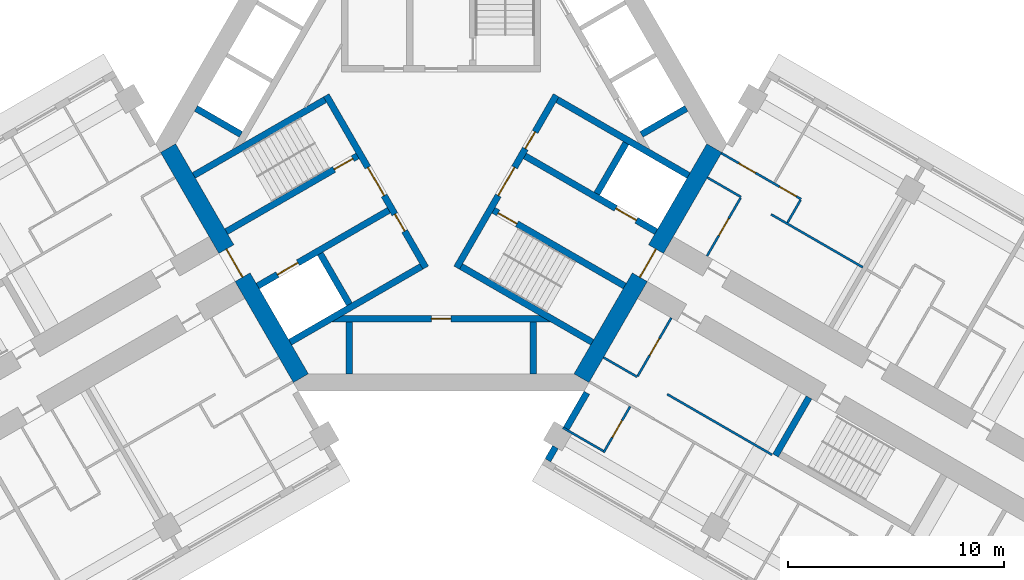
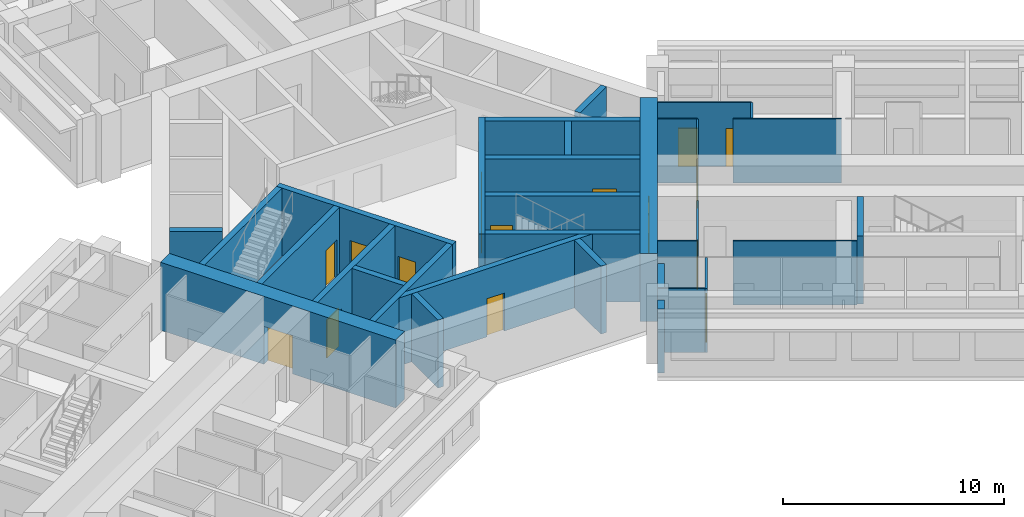
# One storey, part 7 of 15: 32 walls, 16 doors, 16 openings.
"""IFC4 building model written with IfcOpenShell, lengths in metres."""

from ifc_helpers import new_model, si_unit, direction, frame, frame_2d, origin, place, context, subcontext, project, spatial, rectangle, extrude, material, layer, layer_set, type_object, element, fill, save


model = new_model("IFC4")

# Units and contexts
model_context = context("Model", 3, precision=1e-05, world=origin(), true_north=direction((0.0, 1.0)))
body_context = subcontext(model_context, "Body", "Model", "MODEL_VIEW")
ifc_project = project(units=[si_unit("LENGTHUNIT", "METRE"), si_unit("AREAUNIT", "SQUARE_METRE"), si_unit("VOLUMEUNIT", "CUBIC_METRE"), si_unit("PLANEANGLEUNIT", "RADIAN"), si_unit("MASSUNIT", "GRAM", prefix="KILO")], contexts=[model_context])

# Site, building, storey
site_placement = place(None, origin())
site = spatial("IfcSite", under=ifc_project, at=site_placement, CompositionType="ELEMENT")
building_placement = place(site_placement, origin())
building = spatial("IfcBuilding", under=site, at=building_placement, Name="Impinga Residences", CompositionType="ELEMENT")
storey_placement = place(building_placement, frame((0.0, 0.0, 113.5)))
storey = spatial("IfcBuildingStorey", under=building, at=storey_placement, Name="L27", CompositionType="ELEMENT", Elevation=113.5)

# Walls
ifc_material_1 = material(Name="Terracotta rainscreen on blockwork", Category="masonry")
ifc_layer_1 = layer(ifc_material_1, 0.300048828125)
ifc_layer_set_1 = layer_set([ifc_layer_1], Name="EW1 external wall, terracotta rainscreen on blockwork 300")
wall_type_1 = type_object("IfcWallType", Name="EW1 external wall, terracotta rainscreen on blockwork 300", PredefinedType="SOLIDWALL", material=ifc_layer_set_1)
wall_1_placement = place(storey_placement, frame((4.929931640625, -14.624267578125, 0.0), z_axis=(0.0, 0.0, 1.0), x_axis=(0.499853302173, 0.866110083249, 0.0)))
element("IfcWall", 1, at=wall_1_placement, inside=storey, type_object=wall_type_1, Name="External wall EW1 L27", PredefinedType="SOLIDWALL", context=body_context, shape_type="SweptSolid", body=[
    extrude(rectangle(XDim=0.699951171875, YDim=0.300048828125, at=frame_2d((0.35009765625, 0.0))), origin(), (0.0, 0.0, 1.0), 3.530029296875),
])
wall_2_placement = place(storey_placement, frame((5.77978515625, -13.152099609375, 0.0), z_axis=(0.0, 0.0, 1.0), x_axis=(0.500063520245, 0.865988727248, 0.0)))
element("IfcWall", 2, at=wall_2_placement, inside=storey, type_object=wall_type_1, Name="External wall EW1 L27", PredefinedType="SOLIDWALL", context=body_context, shape_type="SweptSolid", body=[
    extrude(rectangle(XDim=1.900146484375, YDim=0.300048828125, at=frame_2d((0.9501953125, 0.0))), origin(), (0.0, 0.0, 1.0), 3.530029296875),
])
ifc_material_2 = material(Name="Gypsum board on steel studs", Category="steel")
ifc_layer_2 = layer(ifc_material_2, 0.10009765625)
ifc_layer_set_2 = layer_set([ifc_layer_2], Name="Gypsum board on steel studs")
wall_type_2 = type_object("IfcWallType", Name="IP1 partition 100", PredefinedType="PARTITIONING", material=ifc_layer_set_2)
wall_3_placement = place(storey_placement, frame((12.300048828125, -1.558837890625, 0.0), z_axis=(0.0, 0.0, 1.0), x_axis=(0.866047807691, -0.499961193289, 0.0)))
element("IfcWall", 3, at=wall_3_placement, inside=storey, type_object=wall_type_2, Name="Partition L27-EA1:DIV0", PredefinedType="PARTITIONING", context=body_context, shape_type="SweptSolid", body=[
    extrude(rectangle(XDim=1.800048828125, YDim=0.10009765625, at=frame_2d((0.89990234375, 0.0))), origin(), (0.0, 0.0, 1.0), 3.530029296875),
])
wall_4_placement = place(storey_placement, frame((15.244384765625, -3.2587890625, 0.0), z_axis=(0.0, 0.0, 1.0), x_axis=(0.866036242063, -0.49998122708, 0.0)))
element("IfcWall", 4, at=wall_4_placement, inside=storey, type_object=wall_type_2, Name="Partition L27-EA1:DIV1", PredefinedType="PARTITIONING", context=body_context, shape_type="SweptSolid", body=[
    extrude(rectangle(XDim=4.900146484375, YDim=0.10009765625, at=frame_2d((2.4501953125, 0.0))), origin(), (0.0, 0.0, 1.0), 3.530029296875),
])

# Wall, openings, doors
wall_5_placement = place(storey_placement, frame((12.949951171875, -0.43310546875, 0.0), z_axis=(0.0, 0.0, 1.0), x_axis=(0.866028703517, -0.499994284652, 0.0)))
wall_5 = element("IfcWall", 5, at=wall_5_placement, inside=storey, type_object=wall_type_2, Name="Partition L27-EA1:STRIP", PredefinedType="PARTITIONING", context=body_context, shape_type="SweptSolid", body=[
    extrude(rectangle(XDim=4.25, YDim=0.10009765625, at=frame_2d((2.125, 0.0))), origin(), (0.0, 0.0, 1.0), 3.530029296875),
])
opening_1_placement = place(wall_5_placement, frame((0.925048828125, 0.0, 0.0)))
opening_1 = element("IfcOpeningElement", 6, at=opening_1_placement, cuts=wall_5, Name="Opening D2", PredefinedType="OPENING", context=body_context, shape_type="SweptSolid", body=[
    extrude(rectangle(XDim=0.89990234375, YDim=2.10009765625, at=frame_2d((0.449951171875, 1.050048828125))), frame((0.0, 0.06005859375, 0.0), z_axis=(0.0, -1.0, 0.0), x_axis=(1.0, 0.0, 0.0)), (0.0, 0.0, 1.0), 0.1201171875),
])
opening_2_placement = place(wall_5_placement, frame((3.10009765625, 0.0, 0.0)))
opening_2 = element("IfcOpeningElement", 7, at=opening_2_placement, cuts=wall_5, Name="Opening D2", PredefinedType="OPENING", context=body_context, shape_type="SweptSolid", body=[
    extrude(rectangle(XDim=0.89990234375, YDim=2.10009765625, at=frame_2d((0.449951171875, 1.050048828125))), frame((0.0, 0.06005859375, 0.0), z_axis=(0.0, -1.0, 0.0), x_axis=(1.0, 0.0, 0.0)), (0.0, 0.0, 1.0), 0.1201171875),
])
ifc_material_3 = material(Name="Timber door set", Category="wood")
door_type_1 = type_object("IfcDoorType", Name="D2 internal door 900x2100", OperationType="SINGLE_SWING_LEFT", PredefinedType="DOOR", material=ifc_material_3)
door_1_placement = place(opening_1_placement, origin())
door_1 = element("IfcDoor", 8, at=door_1_placement, inside=storey, type_object=door_type_1, Name="Apartment L27-EA1 room door", OperationType="SINGLE_SWING_LEFT", OverallHeight=2.10009765625, OverallWidth=0.89990234375, PredefinedType="DOOR", context=body_context, shape_type="SweptSolid", body=[
    extrude(rectangle(XDim=0.89990234375, YDim=2.10009765625, at=frame_2d((0.449951171875, 1.050048828125))), frame((0.0, 0.02490234375, 0.0), z_axis=(0.0, -1.0, 0.0), x_axis=(1.0, 0.0, 0.0)), (0.0, 0.0, 1.0), 0.050048828125),
])
fill(opening_1, door_1)
door_2_placement = place(opening_2_placement, origin())
door_2 = element("IfcDoor", 9, at=door_2_placement, inside=storey, type_object=door_type_1, Name="Apartment L27-EA1 room door", OperationType="SINGLE_SWING_RIGHT", OverallHeight=2.10009765625, OverallWidth=0.89990234375, PredefinedType="DOOR", context=body_context, shape_type="SweptSolid", body=[
    extrude(rectangle(XDim=0.89990234375, YDim=2.10009765625, at=frame_2d((0.449951171875, 1.050048828125))), frame((0.0, 0.02490234375, 0.0), z_axis=(0.0, -1.0, 0.0), x_axis=(1.0, 0.0, 0.0)), (0.0, 0.0, 1.0), 0.050048828125),
])
fill(opening_2, door_2)

# Wall
wall_6_placement = place(storey_placement, frame((16.005615234375, -3.640625, 0.0), z_axis=(0.0, 0.0, 1.0), x_axis=(0.500033551112, 0.866006032174, 0.0)))
element("IfcWall", 10, at=wall_6_placement, inside=storey, type_object=wall_type_2, Name="Partition L27-EA1:SE1", PredefinedType="PARTITIONING", context=body_context, shape_type="SweptSolid", body=[
    extrude(rectangle(XDim=1.2001953125, YDim=0.10009765625, at=frame_2d((0.60009765625, 0.0))), origin(), (0.0, 0.0, 1.0), 3.530029296875),
])

# Wall, opening, door
wall_7_placement = place(storey_placement, frame((12.283935546875, -5.186767578125, 0.0), z_axis=(0.0, 0.0, 1.0), x_axis=(0.499967891604, 0.866043940782, 0.0)))
wall_7 = element("IfcWall", 11, at=wall_7_placement, inside=storey, type_object=wall_type_2, Name="Partition L27-EA1:IB1", PredefinedType="PARTITIONING", context=body_context, shape_type="SweptSolid", body=[
    extrude(rectangle(XDim=3.099853515625, YDim=0.10009765625, at=frame_2d((1.5498046875, 0.0))), origin(), (0.0, 0.0, 1.0), 3.530029296875),
])
opening_3_placement = place(wall_7_placement, frame((1.10009765625, 0.0, 0.0)))
opening_3 = element("IfcOpeningElement", 12, at=opening_3_placement, cuts=wall_7, Name="Opening D2", PredefinedType="OPENING", context=body_context, shape_type="SweptSolid", body=[
    extrude(rectangle(XDim=0.89990234375, YDim=2.10009765625, at=frame_2d((0.449951171875, 1.050048828125))), frame((0.0, 0.06005859375, 0.0), z_axis=(0.0, -1.0, 0.0), x_axis=(1.0, 0.0, 0.0)), (0.0, 0.0, 1.0), 0.1201171875),
])
door_3_placement = place(opening_3_placement, origin())
door_3 = element("IfcDoor", 13, at=door_3_placement, inside=storey, type_object=door_type_1, Name="Apartment L27-EA1 bathroom door", OperationType="SINGLE_SWING_LEFT", OverallHeight=2.10009765625, OverallWidth=0.89990234375, PredefinedType="DOOR", context=body_context, shape_type="SweptSolid", body=[
    extrude(rectangle(XDim=0.89990234375, YDim=2.10009765625, at=frame_2d((0.449951171875, 1.050048828125))), frame((0.0, 0.02490234375, 0.0), z_axis=(0.0, -1.0, 0.0), x_axis=(1.0, 0.0, 0.0)), (0.0, 0.0, 1.0), 0.050048828125),
])
fill(opening_3, door_3)

# Walls
wall_8_placement = place(storey_placement, frame((7.5, -9.872802734375, 0.0), z_axis=(0.0, 0.0, 1.0), x_axis=(0.866047807691, -0.499961193289, 0.0)))
element("IfcWall", 14, at=wall_8_placement, inside=storey, type_object=wall_type_2, Name="Partition L27-EF1:DIV0", PredefinedType="PARTITIONING", context=body_context, shape_type="SweptSolid", body=[
    extrude(rectangle(XDim=1.800048828125, YDim=0.10009765625, at=frame_2d((0.89990234375, 0.0))), origin(), (0.0, 0.0, 1.0), 3.530029296875),
])
wall_9_placement = place(storey_placement, frame((10.444580078125, -11.57275390625, 0.0), z_axis=(0.0, 0.0, 1.0), x_axis=(0.866015695474, -0.500016814911, 0.0)))
element("IfcWall", 15, at=wall_9_placement, inside=storey, type_object=wall_type_2, Name="Partition L27-EF1:DIV1", PredefinedType="PARTITIONING", context=body_context, shape_type="SweptSolid", body=[
    extrude(rectangle(XDim=5.599853515625, YDim=0.10009765625, at=frame_2d((2.7998046875, 0.0))), origin(), (0.0, 0.0, 1.0), 3.530029296875),
])

# Wall, opening, door
wall_10_placement = place(storey_placement, frame((10.6337890625, -8.044677734375, 0.0), z_axis=(0.0, 0.0, 1.0), x_axis=(-0.49999285859, -0.86602952684, 0.0)))
wall_10 = element("IfcWall", 16, at=wall_10_placement, inside=storey, type_object=wall_type_2, Name="Partition L27-EF1:IB1", PredefinedType="PARTITIONING", context=body_context, shape_type="SweptSolid", body=[
    extrude(rectangle(XDim=3.10009765625, YDim=0.10009765625, at=frame_2d((1.550048828125, 0.0))), origin(), (0.0, 0.0, 1.0), 3.530029296875),
])
opening_4_placement = place(wall_10_placement, frame((1.10009765625, 0.0, 0.0)))
opening_4 = element("IfcOpeningElement", 17, at=opening_4_placement, cuts=wall_10, Name="Opening D2", PredefinedType="OPENING", context=body_context, shape_type="SweptSolid", body=[
    extrude(rectangle(XDim=0.89990234375, YDim=2.10009765625, at=frame_2d((0.449951171875, 1.050048828125))), frame((0.0, 0.06005859375, 0.0), z_axis=(0.0, -1.0, 0.0), x_axis=(1.0, 0.0, 0.0)), (0.0, 0.0, 1.0), 0.1201171875),
])
door_4_placement = place(opening_4_placement, origin())
door_4 = element("IfcDoor", 18, at=door_4_placement, inside=storey, type_object=door_type_1, Name="Apartment L27-EF1 bathroom door", OperationType="SINGLE_SWING_LEFT", OverallHeight=2.10009765625, OverallWidth=0.89990234375, PredefinedType="DOOR", context=body_context, shape_type="SweptSolid", body=[
    extrude(rectangle(XDim=0.89990234375, YDim=2.10009765625, at=frame_2d((0.449951171875, 1.050048828125))), frame((0.0, 0.02490234375, 0.0), z_axis=(0.0, -1.0, 0.0), x_axis=(1.0, 0.0, 0.0)), (0.0, 0.0, 1.0), 0.050048828125),
])
fill(opening_4, door_4)

wall_11_placement = place(storey_placement, frame((8.730224609375, -12.141845703125, 0.0), z_axis=(0.0, 0.0, 1.0), x_axis=(-0.499943856944, -0.866057815567, 0.0)))
wall_11 = element("IfcWall", 19, at=wall_11_placement, inside=storey, type_object=wall_type_2, Name="Partition L27-EF1:EN1", PredefinedType="PARTITIONING", context=body_context, shape_type="SweptSolid", body=[
    extrude(rectangle(XDim=2.449951171875, YDim=0.10009765625, at=frame_2d((1.22509765625, 0.0))), origin(), (0.0, 0.0, 1.0), 3.530029296875),
])
opening_5_placement = place(wall_11_placement, frame((0.75, 0.0, 0.0)))
opening_5 = element("IfcOpeningElement", 20, at=opening_5_placement, cuts=wall_11, Name="Opening D2", PredefinedType="OPENING", context=body_context, shape_type="SweptSolid", body=[
    extrude(rectangle(XDim=0.89990234375, YDim=2.10009765625, at=frame_2d((0.449951171875, 1.050048828125))), frame((0.0, 0.06005859375, 0.0), z_axis=(0.0, -1.0, 0.0), x_axis=(1.0, 0.0, 0.0)), (0.0, 0.0, 1.0), 0.1201171875),
])
door_5_placement = place(opening_5_placement, origin())
door_5 = element("IfcDoor", 21, at=door_5_placement, inside=storey, type_object=door_type_1, Name="Apartment L27-EF1 en-suite door", OperationType="SINGLE_SWING_LEFT", OverallHeight=2.10009765625, OverallWidth=0.89990234375, PredefinedType="DOOR", context=body_context, shape_type="SweptSolid", body=[
    extrude(rectangle(XDim=0.89990234375, YDim=2.10009765625, at=frame_2d((0.449951171875, 1.050048828125))), frame((0.0, 0.02490234375, 0.0), z_axis=(0.0, -1.0, 0.0), x_axis=(1.0, 0.0, 0.0)), (0.0, 0.0, 1.0), 0.050048828125),
])
fill(opening_5, door_5)

# Walls
wall_12_placement = place(storey_placement, frame((5.625, -13.120361328125, 0.0), z_axis=(0.0, 0.0, 1.0), x_axis=(0.866047553582, -0.499961633463, 0.0)))
element("IfcWall", 22, at=wall_12_placement, inside=storey, type_object=wall_type_2, Name="Partition L27-EF1:EN2", PredefinedType="PARTITIONING", context=body_context, shape_type="SweptSolid", body=[
    extrude(rectangle(XDim=2.150146484375, YDim=0.10009765625, at=frame_2d((1.0751953125, 0.0))), origin(), (0.0, 0.0, 1.0), 3.530029296875),
])
ifc_material_4 = material(Name="Concrete C60/75", Category="concrete")
ifc_layer_3 = layer(ifc_material_4, 0.300048828125)
ifc_layer_set_3 = layer_set([ifc_layer_3], Name="Concrete C60/75")
wall_type_3 = type_object("IfcWallType", Name="SE1 wing stair enclosure wall 300", PredefinedType="SOLIDWALL", material=ifc_layer_set_3)
wall_13_placement = place(storey_placement, frame((16.9990234375, -11.7197265625, 0.0), z_axis=(0.0, 0.0, 1.0), x_axis=(-0.499967891604, -0.866043940782, 0.0)))
element("IfcWall", 23, at=wall_13_placement, inside=storey, type_object=wall_type_3, Name="Stair enclosure wall SE1 E END0 L27", PredefinedType="SOLIDWALL", context=body_context, shape_type="SweptSolid", body=[
    extrude(rectangle(XDim=3.099853515625, YDim=0.300048828125, at=frame_2d((1.5498046875, 0.0))), origin(), (0.0, 0.0, 1.0), 3.75),
])

# Wall, opening, door
ifc_layer_4 = layer(ifc_material_4, 0.800048828125)
ifc_layer_set_4 = layer_set([ifc_layer_4], Name="Concrete C60/75")
wall_type_4 = type_object("IfcWallType", Name="SW2 core wall 800", PredefinedType="SHEAR", material=ifc_layer_set_4)
wall_14_placement = place(storey_placement, frame((-6.484619140625, -10.83154296875, 0.0), z_axis=(0.0, 0.0, 1.0), x_axis=(-0.499986991068, 0.866032914365, 0.0)))
wall_14 = element("IfcWall", 24, at=wall_14_placement, inside=storey, type_object=wall_type_4, Name="Core wall SW2 W:FACE L27", PredefinedType="SHEAR", context=body_context, shape_type="SweptSolid", body=[
    extrude(rectangle(XDim=12.276123046875, YDim=0.800048828125, at=frame_2d((6.13818359375, 0.0))), origin(), (0.0, 0.0, 1.0), 3.75),
])
opening_6_placement = place(wall_14_placement, frame((5.38818359375, 0.0, 0.0)))
opening_6 = element("IfcOpeningElement", 25, at=opening_6_placement, cuts=wall_14, Name="Opening D4", PredefinedType="OPENING", context=body_context, shape_type="SweptSolid", body=[
    extrude(rectangle(XDim=1.5, YDim=2.10009765625, at=frame_2d((0.75, 1.050048828125))), frame((0.0, 0.409912109375, 0.0), z_axis=(0.0, -1.0, 0.0), x_axis=(1.0, 0.0, 0.0)), (0.0, 0.0, 1.0), 0.820068359375),
])
door_type_2 = type_object("IfcDoorType", Name="D4 lobby door pair 1500x2100", OperationType="DOUBLE_DOOR_DOUBLE_SWING", PredefinedType="DOOR", material=ifc_material_3)
door_6_placement = place(opening_6_placement, origin())
door_6 = element("IfcDoor", 26, at=door_6_placement, inside=storey, type_object=door_type_2, Name="Lobby door W", OperationType="DOUBLE_DOOR_DOUBLE_SWING", OverallHeight=2.10009765625, OverallWidth=1.5, PredefinedType="DOOR", context=body_context, shape_type="SweptSolid", body=[
    extrude(rectangle(XDim=1.5, YDim=2.10009765625, at=frame_2d((0.75, 1.050048828125))), frame((0.0, 0.02490234375, 0.0), z_axis=(0.0, -1.0, 0.0), x_axis=(1.0, 0.0, 0.0)), (0.0, 0.0, 1.0), 0.050048828125),
])
fill(opening_6, door_6)

wall_15_placement = place(storey_placement, frame((12.62255859375, -0.199951171875, 0.0), z_axis=(0.0, 0.0, 1.0), x_axis=(-0.499986991068, -0.866032914365, 0.0)))
wall_15 = element("IfcWall", 27, at=wall_15_placement, inside=storey, type_object=wall_type_4, Name="Core wall SW2 E:FACE L27", PredefinedType="SHEAR", context=body_context, shape_type="SweptSolid", body=[
    extrude(rectangle(XDim=12.276123046875, YDim=0.800048828125, at=frame_2d((6.13818359375, 0.0))), origin(), (0.0, 0.0, 1.0), 3.75),
])
opening_7_placement = place(wall_15_placement, frame((5.38818359375, 0.0, 0.0)))
opening_7 = element("IfcOpeningElement", 28, at=opening_7_placement, cuts=wall_15, Name="Opening D4", PredefinedType="OPENING", context=body_context, shape_type="SweptSolid", body=[
    extrude(rectangle(XDim=1.5, YDim=2.10009765625, at=frame_2d((0.75, 1.050048828125))), frame((0.0, 0.409912109375, 0.0), z_axis=(0.0, -1.0, 0.0), x_axis=(1.0, 0.0, 0.0)), (0.0, 0.0, 1.0), 0.820068359375),
])
door_7_placement = place(opening_7_placement, origin())
door_7 = element("IfcDoor", 29, at=door_7_placement, inside=storey, type_object=door_type_2, Name="Lobby door E", OperationType="DOUBLE_DOOR_DOUBLE_SWING", OverallHeight=2.10009765625, OverallWidth=1.5, PredefinedType="DOOR", context=body_context, shape_type="SweptSolid", body=[
    extrude(rectangle(XDim=1.5, YDim=2.10009765625, at=frame_2d((0.75, 1.050048828125))), frame((0.0, 0.02490234375, 0.0), z_axis=(0.0, -1.0, 0.0), x_axis=(1.0, 0.0, 0.0)), (0.0, 0.0, 1.0), 0.050048828125),
])
fill(opening_7, door_7)

# Wall, openings, doors
ifc_material_5 = material(Name="Concrete C70/85", Category="concrete")
ifc_layer_5 = layer(ifc_material_5, 0.300048828125)
ifc_layer_set_5 = layer_set([ifc_layer_5], Name="Concrete C70/85")
wall_type_5 = type_object("IfcWallType", Name="SW5 core inner wall, stairs, shafts and lobbies 300", PredefinedType="SHEAR", material=ifc_layer_set_5)
wall_16_placement = place(storey_placement, frame((-0.7138671875, -5.7236328125, 0.0), z_axis=(0.0, 0.0, 1.0), x_axis=(-0.499995050369, 0.866028261437, 0.0)))
wall_16 = element("IfcWall", 30, at=wall_16_placement, inside=storey, type_object=wall_type_5, Name="Core wall SW5 W:ZONE L27", PredefinedType="SHEAR", context=body_context, shape_type="SweptSolid", body=[
    extrude(rectangle(XDim=9.19970703125, YDim=0.300048828125, at=frame_2d((4.599853515625, 0.0))), origin(), (0.0, 0.0, 1.0), 3.75),
])
opening_8_placement = place(wall_16_placement, frame((3.85009765625, 0.0, 0.0)))
opening_8 = element("IfcOpeningElement", 31, at=opening_8_placement, cuts=wall_16, Name="Opening D4", PredefinedType="OPENING", context=body_context, shape_type="SweptSolid", body=[
    extrude(rectangle(XDim=1.5, YDim=2.10009765625, at=frame_2d((0.75, 1.050048828125))), frame((0.0, 0.159912109375, 0.0), z_axis=(0.0, -1.0, 0.0), x_axis=(1.0, 0.0, 0.0)), (0.0, 0.0, 1.0), 0.320068359375),
])
opening_9_placement = place(wall_16_placement, frame((1.949951171875, 0.0, 0.0)))
opening_9 = element("IfcOpeningElement", 32, at=opening_9_placement, cuts=wall_16, Name="Opening D6", PredefinedType="OPENING", context=body_context, shape_type="SweptSolid", body=[
    extrude(rectangle(XDim=0.89990234375, YDim=2.10009765625, at=frame_2d((0.449951171875, 1.050048828125))), frame((0.0, 0.159912109375, 0.0), z_axis=(0.0, -1.0, 0.0), x_axis=(1.0, 0.0, 0.0)), (0.0, 0.0, 1.0), 0.320068359375),
])
door_8_placement = place(opening_8_placement, origin())
door_8 = element("IfcDoor", 33, at=door_8_placement, inside=storey, type_object=door_type_2, Name="Firefighting lobby door W", OperationType="DOUBLE_DOOR_DOUBLE_SWING", OverallHeight=2.10009765625, OverallWidth=1.5, PredefinedType="DOOR", context=body_context, shape_type="SweptSolid", body=[
    extrude(rectangle(XDim=1.5, YDim=2.10009765625, at=frame_2d((0.75, 1.050048828125))), frame((0.0, 0.02490234375, 0.0), z_axis=(0.0, -1.0, 0.0), x_axis=(1.0, 0.0, 0.0)), (0.0, 0.0, 1.0), 0.050048828125),
])
fill(opening_8, door_8)
door_type_3 = type_object("IfcDoorType", Name="D6 riser and store door 900x2100", OperationType="SINGLE_SWING_LEFT", PredefinedType="DOOR", material=ifc_material_3)
door_9_placement = place(opening_9_placement, origin())
door_9 = element("IfcDoor", 34, at=door_9_placement, inside=storey, type_object=door_type_3, Name="Riser door W", OperationType="SINGLE_SWING_LEFT", OverallHeight=2.10009765625, OverallWidth=0.89990234375, PredefinedType="DOOR", context=body_context, shape_type="SweptSolid", body=[
    extrude(rectangle(XDim=0.89990234375, YDim=2.10009765625, at=frame_2d((0.449951171875, 1.050048828125))), frame((0.0, 0.02490234375, 0.0), z_axis=(0.0, -1.0, 0.0), x_axis=(1.0, 0.0, 0.0)), (0.0, 0.0, 1.0), 0.050048828125),
])
fill(opening_9, door_9)

# Wall, opening, door
wall_17_placement = place(storey_placement, frame((-3.86865234375, -0.559326171875, 0.0), z_axis=(0.0, 0.0, 1.0), x_axis=(-0.866026480128, -0.499998135713, 0.0)))
wall_17 = element("IfcWall", 35, at=wall_17_placement, inside=storey, type_object=wall_type_5, Name="Core wall SW5 W:ST-IN L27", PredefinedType="SHEAR", context=body_context, shape_type="SweptSolid", body=[
    extrude(rectangle(XDim=7.00146484375, YDim=0.300048828125, at=frame_2d((3.500732421875, 0.0))), origin(), (0.0, 0.0, 1.0), 3.75),
])
opening_10_placement = place(wall_17_placement, frame((0.25, 0.0, 0.0)))
opening_10 = element("IfcOpeningElement", 36, at=opening_10_placement, cuts=wall_17, Name="Opening D5", PredefinedType="OPENING", context=body_context, shape_type="SweptSolid", body=[
    extrude(rectangle(XDim=1.0, YDim=2.10009765625, at=frame_2d((0.5, 1.050048828125))), frame((0.0, 0.159912109375, 0.0), z_axis=(0.0, -1.0, 0.0), x_axis=(1.0, 0.0, 0.0)), (0.0, 0.0, 1.0), 0.320068359375),
])
door_type_4 = type_object("IfcDoorType", Name="D5 stair door 1000x2100", OperationType="SINGLE_SWING_LEFT", PredefinedType="DOOR", material=ifc_material_3)
door_10_placement = place(opening_10_placement, origin())
door_10 = element("IfcDoor", 37, at=door_10_placement, inside=storey, type_object=door_type_4, Name="Stair door W", OperationType="SINGLE_SWING_LEFT", OverallHeight=2.10009765625, OverallWidth=1.0, PredefinedType="DOOR", context=body_context, shape_type="SweptSolid", body=[
    extrude(rectangle(XDim=1.0, YDim=2.10009765625, at=frame_2d((0.5, 1.050048828125))), frame((0.0, 0.02490234375, 0.0), z_axis=(0.0, -1.0, 0.0), x_axis=(1.0, 0.0, 0.0)), (0.0, 0.0, 1.0), 0.050048828125),
])
fill(opening_10, door_10)

# Wall
wall_18_placement = place(storey_placement, frame((-5.36865234375, 2.038818359375, 0.0), z_axis=(0.0, 0.0, 1.0), x_axis=(-0.866026480128, -0.499998135713, 0.0)))
element("IfcWall", 38, at=wall_18_placement, inside=storey, type_object=wall_type_5, Name="Core wall SW5 W:ST-OUT L27", PredefinedType="SHEAR", context=body_context, shape_type="SweptSolid", body=[
    extrude(rectangle(XDim=7.00146484375, YDim=0.300048828125, at=frame_2d((3.500732421875, 0.0))), origin(), (0.0, 0.0, 1.0), 3.75),
])

# Wall, opening, door
wall_19_placement = place(storey_placement, frame((-2.418701171875, -3.07080078125, 0.0), z_axis=(0.0, 0.0, 1.0), x_axis=(-0.866026480128, -0.499998135713, 0.0)))
wall_19 = element("IfcWall", 39, at=wall_19_placement, inside=storey, type_object=wall_type_5, Name="Core wall SW5 W:FF-IN L27", PredefinedType="SHEAR", context=body_context, shape_type="SweptSolid", body=[
    extrude(rectangle(XDim=7.00146484375, YDim=0.300048828125, at=frame_2d((3.500732421875, 0.0))), origin(), (0.0, 0.0, 1.0), 3.75),
])
opening_11_placement = place(wall_19_placement, frame((4.85009765625, 0.0, 0.0)))
opening_11 = element("IfcOpeningElement", 40, at=opening_11_placement, cuts=wall_19, Name="Opening LD2", PredefinedType="OPENING", context=body_context, shape_type="SweptSolid", body=[
    extrude(rectangle(XDim=1.10009765625, YDim=2.10009765625, at=frame_2d((0.550048828125, 1.050048828125))), frame((0.0, 0.159912109375, 0.0), z_axis=(0.0, -1.0, 0.0), x_axis=(1.0, 0.0, 0.0)), (0.0, 0.0, 1.0), 0.320068359375),
])
ifc_material_6 = material(Name="Steel lift landing door", Category="steel")
door_type_5 = type_object("IfcDoorType", Name="LD2 firefighting lift landing door 1100x2100", OperationType="DOUBLE_DOOR_SLIDING", PredefinedType="DOOR", material=ifc_material_6)
door_11_placement = place(opening_11_placement, origin())
door_11 = element("IfcDoor", 41, at=door_11_placement, inside=storey, type_object=door_type_5, Name="Firefighting lift landing door F2", OperationType="DOUBLE_DOOR_SLIDING", OverallHeight=2.10009765625, OverallWidth=1.10009765625, PredefinedType="DOOR", context=body_context, shape_type="SweptSolid", body=[
    extrude(rectangle(XDim=1.10009765625, YDim=2.10009765625, at=frame_2d((0.550048828125, 1.050048828125))), frame((0.0, 0.02490234375, 0.0), z_axis=(0.0, -1.0, 0.0), x_axis=(1.0, 0.0, 0.0)), (0.0, 0.0, 1.0), 0.050048828125),
])
fill(opening_11, door_11)

# Walls
wall_20_placement = place(storey_placement, frame((-0.918701171875, -5.668701171875, 0.0), z_axis=(0.0, 0.0, 1.0), x_axis=(-0.866011380966, -0.500024287448, 0.0)))
element("IfcWall", 42, at=wall_20_placement, inside=storey, type_object=wall_type_5, Name="Core wall SW5 W:FF-OUT L27", PredefinedType="SHEAR", context=body_context, shape_type="SweptSolid", body=[
    extrude(rectangle(XDim=7.001708984375, YDim=0.300048828125, at=frame_2d((3.5009765625, 0.0))), origin(), (0.0, 0.0, 1.0), 3.75),
])
wall_21_placement = place(storey_placement, frame((-4.2412109375, -7.413818359375, 0.0), z_axis=(0.0, 0.0, 1.0), x_axis=(-0.500048589285, 0.86599734893, 0.0)))
element("IfcWall", 43, at=wall_21_placement, inside=storey, type_object=wall_type_5, Name="Core wall SW5 W:FF-RS L27", PredefinedType="SHEAR", context=body_context, shape_type="SweptSolid", body=[
    extrude(rectangle(XDim=2.699951171875, YDim=0.300048828125, at=frame_2d((1.35009765625, 0.0))), origin(), (0.0, 0.0, 1.0), 3.75),
])

# Wall, openings, doors
wall_22_placement = place(storey_placement, frame((5.313720703125, 2.24365234375, 0.0), z_axis=(0.0, 0.0, 1.0), x_axis=(-0.499995050369, -0.866028261437, 0.0)))
wall_22 = element("IfcWall", 44, at=wall_22_placement, inside=storey, type_object=wall_type_5, Name="Core wall SW5 E:ZONE L27", PredefinedType="SHEAR", context=body_context, shape_type="SweptSolid", body=[
    extrude(rectangle(XDim=9.19970703125, YDim=0.300048828125, at=frame_2d((4.599853515625, 0.0))), origin(), (0.0, 0.0, 1.0), 3.75),
])
opening_12_placement = place(wall_22_placement, frame((3.85009765625, 0.0, 0.0)))
opening_12 = element("IfcOpeningElement", 45, at=opening_12_placement, cuts=wall_22, Name="Opening D4", PredefinedType="OPENING", context=body_context, shape_type="SweptSolid", body=[
    extrude(rectangle(XDim=1.5, YDim=2.10009765625, at=frame_2d((0.75, 1.050048828125))), frame((0.0, 0.159912109375, 0.0), z_axis=(0.0, -1.0, 0.0), x_axis=(1.0, 0.0, 0.0)), (0.0, 0.0, 1.0), 0.320068359375),
])
opening_13_placement = place(wall_22_placement, frame((1.949951171875, 0.0, 0.0)))
opening_13 = element("IfcOpeningElement", 46, at=opening_13_placement, cuts=wall_22, Name="Opening D6", PredefinedType="OPENING", context=body_context, shape_type="SweptSolid", body=[
    extrude(rectangle(XDim=0.89990234375, YDim=2.10009765625, at=frame_2d((0.449951171875, 1.050048828125))), frame((0.0, 0.159912109375, 0.0), z_axis=(0.0, -1.0, 0.0), x_axis=(1.0, 0.0, 0.0)), (0.0, 0.0, 1.0), 0.320068359375),
])
door_12_placement = place(opening_12_placement, origin())
door_12 = element("IfcDoor", 47, at=door_12_placement, inside=storey, type_object=door_type_2, Name="Firefighting lobby door E", OperationType="DOUBLE_DOOR_DOUBLE_SWING", OverallHeight=2.10009765625, OverallWidth=1.5, PredefinedType="DOOR", context=body_context, shape_type="SweptSolid", body=[
    extrude(rectangle(XDim=1.5, YDim=2.10009765625, at=frame_2d((0.75, 1.050048828125))), frame((0.0, 0.02490234375, 0.0), z_axis=(0.0, -1.0, 0.0), x_axis=(1.0, 0.0, 0.0)), (0.0, 0.0, 1.0), 0.050048828125),
])
fill(opening_12, door_12)
door_13_placement = place(opening_13_placement, origin())
door_13 = element("IfcDoor", 48, at=door_13_placement, inside=storey, type_object=door_type_3, Name="Riser door E", OperationType="SINGLE_SWING_LEFT", OverallHeight=2.10009765625, OverallWidth=0.89990234375, PredefinedType="DOOR", context=body_context, shape_type="SweptSolid", body=[
    extrude(rectangle(XDim=0.89990234375, YDim=2.10009765625, at=frame_2d((0.449951171875, 1.050048828125))), frame((0.0, 0.02490234375, 0.0), z_axis=(0.0, -1.0, 0.0), x_axis=(1.0, 0.0, 0.0)), (0.0, 0.0, 1.0), 0.050048828125),
])
fill(opening_13, door_13)

# Wall, opening, door
wall_23_placement = place(storey_placement, frame((2.418701171875, -3.07080078125, 0.0), z_axis=(0.0, 0.0, 1.0), x_axis=(0.866026480128, -0.499998135713, 0.0)))
wall_23 = element("IfcWall", 49, at=wall_23_placement, inside=storey, type_object=wall_type_5, Name="Core wall SW5 E:ST-IN L27", PredefinedType="SHEAR", context=body_context, shape_type="SweptSolid", body=[
    extrude(rectangle(XDim=7.00146484375, YDim=0.300048828125, at=frame_2d((3.500732421875, 0.0))), origin(), (0.0, 0.0, 1.0), 3.75),
])
opening_14_placement = place(wall_23_placement, frame((0.25, 0.0, 0.0)))
opening_14 = element("IfcOpeningElement", 50, at=opening_14_placement, cuts=wall_23, Name="Opening D5", PredefinedType="OPENING", context=body_context, shape_type="SweptSolid", body=[
    extrude(rectangle(XDim=1.0, YDim=2.10009765625, at=frame_2d((0.5, 1.050048828125))), frame((0.0, 0.159912109375, 0.0), z_axis=(0.0, -1.0, 0.0), x_axis=(1.0, 0.0, 0.0)), (0.0, 0.0, 1.0), 0.320068359375),
])
door_14_placement = place(opening_14_placement, origin())
door_14 = element("IfcDoor", 51, at=door_14_placement, inside=storey, type_object=door_type_4, Name="Stair door E", OperationType="SINGLE_SWING_LEFT", OverallHeight=2.10009765625, OverallWidth=1.0, PredefinedType="DOOR", context=body_context, shape_type="SweptSolid", body=[
    extrude(rectangle(XDim=1.0, YDim=2.10009765625, at=frame_2d((0.5, 1.050048828125))), frame((0.0, 0.02490234375, 0.0), z_axis=(0.0, -1.0, 0.0), x_axis=(1.0, 0.0, 0.0)), (0.0, 0.0, 1.0), 0.050048828125),
])
fill(opening_14, door_14)

# Wall
wall_24_placement = place(storey_placement, frame((0.918701171875, -5.668701171875, 0.0), z_axis=(0.0, 0.0, 1.0), x_axis=(0.866011380966, -0.500024287448, 0.0)))
element("IfcWall", 52, at=wall_24_placement, inside=storey, type_object=wall_type_5, Name="Core wall SW5 E:ST-OUT L27", PredefinedType="SHEAR", context=body_context, shape_type="SweptSolid", body=[
    extrude(rectangle(XDim=7.001708984375, YDim=0.300048828125, at=frame_2d((3.5009765625, 0.0))), origin(), (0.0, 0.0, 1.0), 3.75),
])

# Wall, opening, door
wall_25_placement = place(storey_placement, frame((3.86865234375, -0.559326171875, 0.0), z_axis=(0.0, 0.0, 1.0), x_axis=(0.866026480128, -0.499998135713, 0.0)))
wall_25 = element("IfcWall", 53, at=wall_25_placement, inside=storey, type_object=wall_type_5, Name="Core wall SW5 E:FF-IN L27", PredefinedType="SHEAR", context=body_context, shape_type="SweptSolid", body=[
    extrude(rectangle(XDim=7.00146484375, YDim=0.300048828125, at=frame_2d((3.500732421875, 0.0))), origin(), (0.0, 0.0, 1.0), 3.75),
])
opening_15_placement = place(wall_25_placement, frame((4.85009765625, 0.0, 0.0)))
opening_15 = element("IfcOpeningElement", 54, at=opening_15_placement, cuts=wall_25, Name="Opening LD2", PredefinedType="OPENING", context=body_context, shape_type="SweptSolid", body=[
    extrude(rectangle(XDim=1.10009765625, YDim=2.10009765625, at=frame_2d((0.550048828125, 1.050048828125))), frame((0.0, 0.159912109375, 0.0), z_axis=(0.0, -1.0, 0.0), x_axis=(1.0, 0.0, 0.0)), (0.0, 0.0, 1.0), 0.320068359375),
])
door_15_placement = place(opening_15_placement, origin())
door_15 = element("IfcDoor", 55, at=door_15_placement, inside=storey, type_object=door_type_5, Name="Firefighting lift landing door F3", OperationType="DOUBLE_DOOR_SLIDING", OverallHeight=2.10009765625, OverallWidth=1.10009765625, PredefinedType="DOOR", context=body_context, shape_type="SweptSolid", body=[
    extrude(rectangle(XDim=1.10009765625, YDim=2.10009765625, at=frame_2d((0.550048828125, 1.050048828125))), frame((0.0, 0.02490234375, 0.0), z_axis=(0.0, -1.0, 0.0), x_axis=(1.0, 0.0, 0.0)), (0.0, 0.0, 1.0), 0.050048828125),
])
fill(opening_15, door_15)

# Walls
wall_26_placement = place(storey_placement, frame((5.36865234375, 2.038818359375, 0.0), z_axis=(0.0, 0.0, 1.0), x_axis=(0.866026480128, -0.499998135713, 0.0)))
element("IfcWall", 56, at=wall_26_placement, inside=storey, type_object=wall_type_5, Name="Core wall SW5 E:FF-OUT L27", PredefinedType="SHEAR", context=body_context, shape_type="SweptSolid", body=[
    extrude(rectangle(XDim=7.00146484375, YDim=0.300048828125, at=frame_2d((3.500732421875, 0.0))), origin(), (0.0, 0.0, 1.0), 3.75),
])
wall_27_placement = place(storey_placement, frame((8.541259765625, 0.033935546875, 0.0), z_axis=(0.0, 0.0, 1.0), x_axis=(-0.50000943426, -0.866019956843, 0.0)))
element("IfcWall", 57, at=wall_27_placement, inside=storey, type_object=wall_type_5, Name="Core wall SW5 E:FF-RS L27", PredefinedType="SHEAR", context=body_context, shape_type="SweptSolid", body=[
    extrude(rectangle(XDim=2.7001953125, YDim=0.300048828125, at=frame_2d((1.35009765625, 0.0))), origin(), (0.0, 0.0, 1.0), 3.75),
])

# Wall, opening, door
wall_28_placement = place(storey_placement, frame((5.09765625, -8.08154296875, 0.0), z_axis=(0.0, 0.0, 1.0), x_axis=(-1.0, 0.0, 0.0)))
wall_28 = element("IfcWall", 58, at=wall_28_placement, inside=storey, type_object=wall_type_5, Name="Core wall SW5 N:BANK-FRONT L27", PredefinedType="SHEAR", context=body_context, shape_type="SweptSolid", body=[
    extrude(rectangle(XDim=10.1953125, YDim=0.300048828125, at=frame_2d((5.09765625, 0.0))), origin(), (0.0, 0.0, 1.0), 3.75),
])
opening_16_placement = place(wall_28_placement, frame((4.647705078125, 0.0, 0.0)))
opening_16 = element("IfcOpeningElement", 59, at=opening_16_placement, cuts=wall_28, Name="Opening D6", PredefinedType="OPENING", context=body_context, shape_type="SweptSolid", body=[
    extrude(rectangle(XDim=0.89990234375, YDim=2.10009765625, at=frame_2d((0.449951171875, 1.050048828125))), frame((0.0, 0.159912109375, 0.0), z_axis=(0.0, -1.0, 0.0), x_axis=(1.0, 0.0, 0.0)), (0.0, 0.0, 1.0), 0.320068359375),
])
door_16_placement = place(opening_16_placement, origin())
door_16 = element("IfcDoor", 60, at=door_16_placement, inside=storey, type_object=door_type_3, Name="Residents' parcel room door", OperationType="SINGLE_SWING_LEFT", OverallHeight=2.10009765625, OverallWidth=0.89990234375, PredefinedType="DOOR", context=body_context, shape_type="SweptSolid", body=[
    extrude(rectangle(XDim=0.89990234375, YDim=2.10009765625, at=frame_2d((0.449951171875, 1.050048828125))), frame((0.0, 0.02490234375, 0.0), z_axis=(0.0, -1.0, 0.0), x_axis=(1.0, 0.0, 0.0)), (0.0, 0.0, 1.0), 0.050048828125),
])
fill(opening_16, door_16)

# Walls
for number, where, z_axis, x_axis, name in (
    (61, (4.25, -8.2314453125, 0.0), (0.0, 0.0, 1.0), (0.0, -1.0, 0.0), "Core wall SW5 N:BANK-L L27"),
    (62, (-4.25, -8.2314453125, 0.0), (0.0, 0.0, 1.0), (0.0, -1.0, 0.0), "Core wall SW5 N:BANK-R L27"),
    (63, (9.253662109375, 0.43505859375, 0.0), (0.0, 0.0, 1.0), (0.866006032174, 0.500033551112, 0.0), "Core wall SW5 W:BANK-R L27"),
    (64, (-9.253662109375, 0.43505859375, 0.0), (0.0, 0.0, 1.0), (-0.866006032174, 0.500033551112, 0.0), "Core wall SW5 E:BANK-L L27"),
):
    element("IfcWall", number, at=place(storey_placement, frame(where, z_axis=z_axis, x_axis=x_axis)), inside=storey, type_object=wall_type_5, Name=name, PredefinedType="SHEAR", context=body_context, shape_type="SweptSolid", body=[
        extrude(rectangle(XDim=2.400146484375, YDim=0.300048828125, at=frame_2d((1.2001953125, 0.0))), origin(), (0.0, 0.0, 1.0), 3.75),
    ])

save(model, "model.ifc")
